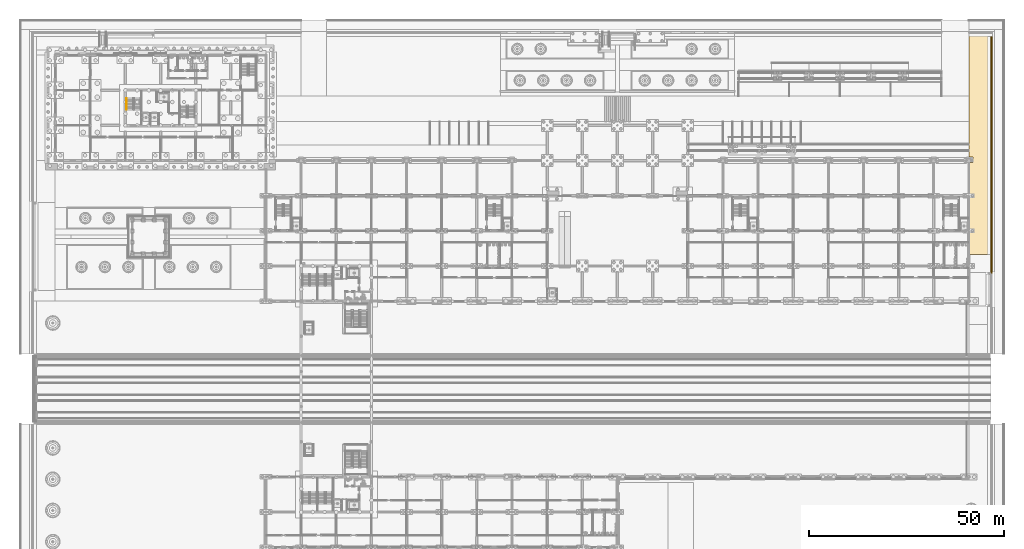
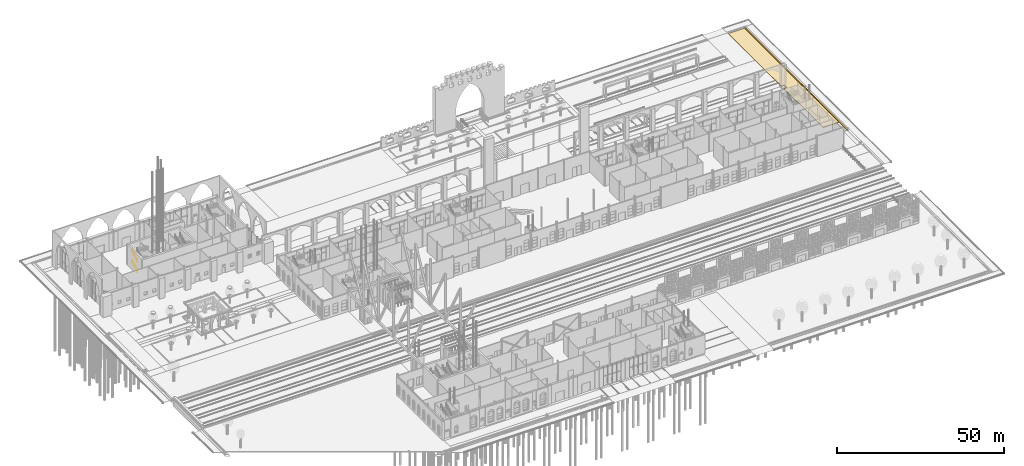
# One storey, part 219 of 250: 2 coverings, 2 railings.
"""IFC4 building model written with IfcOpenShell, lengths in metres."""

from ifc_helpers import new_model, si_unit, direction, frame, origin, origin_2d, place, context, subcontext, project, spatial, polyline, circle, outline, extrude, material, layer, layer_set, type_object, element, save


model = new_model("IFC4")

# Units and contexts
model_context = context("Model", 3, precision=1e-05, world=origin(), true_north=direction((0.0, 1.0)))
body_context = subcontext(model_context, "Body", "Model", "MODEL_VIEW")
ifc_project = project(units=[si_unit("LENGTHUNIT", "METRE"), si_unit("AREAUNIT", "SQUARE_METRE"), si_unit("VOLUMEUNIT", "CUBIC_METRE"), si_unit("PLANEANGLEUNIT", "RADIAN"), si_unit("MASSUNIT", "GRAM", prefix="KILO")], contexts=[model_context])

# Site, building, storey
site_placement = place(None, origin())
site = spatial("IfcSite", under=ifc_project, at=site_placement, CompositionType="ELEMENT")
building_placement = place(site_placement, origin())
building = spatial("IfcBuilding", under=site, at=building_placement, Name="Baradari Gate Terminus", CompositionType="ELEMENT")
storey_placement = place(building_placement, origin())
storey = spatial("IfcBuildingStorey", under=building, at=storey_placement, Name="L00", CompositionType="ELEMENT", Elevation=0.0)

# Railings
ifc_material_1 = material(Name="Stainless steel 1.4301", Category="steel")
railing_type = type_object("IfcRailingType", Name="Handrail HR-1 900", PredefinedType="HANDRAIL", material=ifc_material_1)
for number, where, name in (
    (1, (27.284912109375, 129.97509765625, 0.17041015625), "Handrail ST-T1 L00 flight 1"),
    (2, (27.284912109375, 129.97509765625, 3.92041015625), "Handrail ST-T1 L00 flight 3"),
):
    element("IfcRailing", number, at=place(storey_placement, frame(where)), inside=storey, type_object=railing_type, Name=name, PredefinedType="HANDRAIL", context=body_context, shape_type="SweptSolid", body=[
        extrude(circle(Radius=0.02392578125, at=origin_2d()), frame((0.0, 0.0, 0.8759765625), z_axis=(0.0, 0.869451031676, 0.494019132744), x_axis=(-1.0, 0.0, 0.0)), (0.0, 0.0, 1.0), 3.450439453125),
        extrude(circle(Radius=0.02099609375, at=origin_2d()), origin(), (0.0, 0.0, 1.0), 0.851806640625),
        extrude(circle(Radius=0.02099609375, at=origin_2d()), frame((0.0, 1.0, 0.568115234375)), (0.0, 0.0, 1.0), 0.851806640625),
        extrude(circle(Radius=0.02099609375, at=origin_2d()), frame((0.0, 2.0, 1.136474609375)), (0.0, 0.0, 1.0), 0.851806640625),
        extrude(circle(Radius=0.02099609375, at=origin_2d()), frame((0.0, 3.0, 1.70458984375)), (0.0, 0.0, 1.0), 0.851806640625),
    ])

# Coverings
ifc_material_2 = material(Name="Planted lawn")
ifc_layer_1 = layer(ifc_material_2, 0.300048828125)
ifc_layer_set_1 = layer_set([ifc_layer_1], Name="Planted lawn")
covering_type_1 = type_object("IfcCoveringType", Name="Planted lawn bed LW-1 300", PredefinedType="USERDEFINED", material=ifc_layer_set_1)
covering_1_placement = place(storey_placement, frame((0.0, 0.0, -0.300048828125)))
element("IfcCovering", 3, at=covering_1_placement, inside=storey, type_object=covering_type_1, Name="Planted lawn 16", ObjectType="LAWN", PredefinedType="USERDEFINED", context=body_context, shape_type="SweptSolid", body=[
    extrude(outline(polyline([(248.60009765625, 149.60009765625), (243.0, 149.60009765625), (243.0, 133.5), (243.0, 127.0), (243.0, 117.929931640625), (243.60009765625, 117.929931640625), (243.60009765625, 117.929931640625), (244.050048828125, 117.929931640625), (244.052978515625, 117.929931640625), (244.055908203125, 117.929443359375), (244.05859375, 117.9287109375), (244.0615234375, 117.927734375), (244.064208984375, 117.926513671875), (244.066650390625, 117.925048828125), (244.069091796875, 117.923095703125), (244.0712890625, 117.921142578125), (244.0732421875, 117.9189453125), (244.074951171875, 117.916748046875), (244.076416015625, 117.9140625), (244.07763671875, 117.911376953125), (244.07861328125, 117.90869140625), (244.079345703125, 117.90576171875), (244.079833984375, 117.90283203125), (244.080078125, 117.89990234375), (244.080078125, 116.550048828125), (244.079833984375, 116.547119140625), (244.079345703125, 116.544189453125), (244.07861328125, 116.541259765625), (244.07763671875, 116.53857421875), (244.076416015625, 116.535888671875), (244.074951171875, 116.533447265625), (244.0732421875, 116.531005859375), (244.0712890625, 116.52880859375), (244.069091796875, 116.52685546875), (244.066650390625, 116.525146484375), (244.064208984375, 116.5234375), (244.0615234375, 116.522216796875), (244.05859375, 116.521240234375), (244.055908203125, 116.5205078125), (244.052978515625, 116.520263671875), (244.050048828125, 116.52001953125), (243.60009765625, 116.52001953125), (243.0, 116.52001953125), (243.0, 108.16015625), (243.128173828125, 108.16015625), (243.131103515625, 108.159912109375), (243.134033203125, 108.15966796875), (243.136962890625, 108.158935546875), (243.1396484375, 108.157958984375), (243.142333984375, 108.156494140625), (243.144775390625, 108.155029296875), (243.147216796875, 108.1533203125), (243.1494140625, 108.1513671875), (243.1513671875, 108.149169921875), (243.153076171875, 108.146728515625), (243.154541015625, 108.144287109375), (243.15576171875, 108.1416015625), (243.15673828125, 108.138916015625), (243.157470703125, 108.135986328125), (243.157958984375, 108.133056640625), (243.158203125, 108.130126953125), (243.158203125, 107.893798828125), (243.158935546875, 107.89306640625), (243.1611328125, 107.89111328125), (243.1630859375, 107.888916015625), (243.1650390625, 107.886474609375), (243.16650390625, 107.884033203125), (243.167724609375, 107.88134765625), (243.168701171875, 107.878662109375), (243.16943359375, 107.875732421875), (243.169921875, 107.872802734375), (243.169921875, 107.869873046875), (243.169921875, 99.182373046875), (243.17041015625, 99.18212890625), (243.1728515625, 99.180419921875), (243.1748046875, 99.178466796875), (243.177001953125, 99.17626953125), (243.1787109375, 99.173828125), (243.18017578125, 99.17138671875), (243.181396484375, 99.168701171875), (243.182373046875, 99.166015625), (243.18310546875, 99.1630859375), (243.18359375, 99.16015625), (243.18359375, 99.1572265625), (243.18359375, 98.8427734375), (243.18359375, 98.83984375), (243.18310546875, 98.8369140625), (243.182373046875, 98.833984375), (243.181396484375, 98.831298828125), (243.18017578125, 98.82861328125), (243.1787109375, 98.826171875), (243.177001953125, 98.82373046875), (243.1748046875, 98.821533203125), (243.1728515625, 98.819580078125), (243.17041015625, 98.81787109375), (243.169921875, 98.817626953125), (243.169921875, 93.0), (248.60009765625, 93.0), (248.60009765625, 149.60009765625)])), origin(), (0.0, 0.0, 1.0), 0.300048828125),
])
ifc_material_3 = material(Name="Sandstone", Category="masonry")
ifc_layer_2 = layer(ifc_material_3, 0.080078125)
ifc_layer_set_2 = layer_set([ifc_layer_2], Name="Sandstone")
covering_type_2 = type_object("IfcCoveringType", Name="Stone coping CG-1 80", PredefinedType="CLADDING", material=ifc_layer_set_2)
covering_2_placement = place(storey_placement, origin())
element("IfcCovering", 4, at=covering_2_placement, inside=storey, type_object=covering_type_2, Name="Stone coping E3", PredefinedType="CLADDING", context=body_context, shape_type="SweptSolid", body=[
    extrude(outline(polyline([(249.0, 88.0), (249.0, 149.60009765625), (248.60009765625, 149.60009765625), (248.60009765625, 88.0), (249.0, 88.0)])), origin(), (0.0, 0.0, 1.0), 0.080078125),
])

save(model, "model.ifc")
